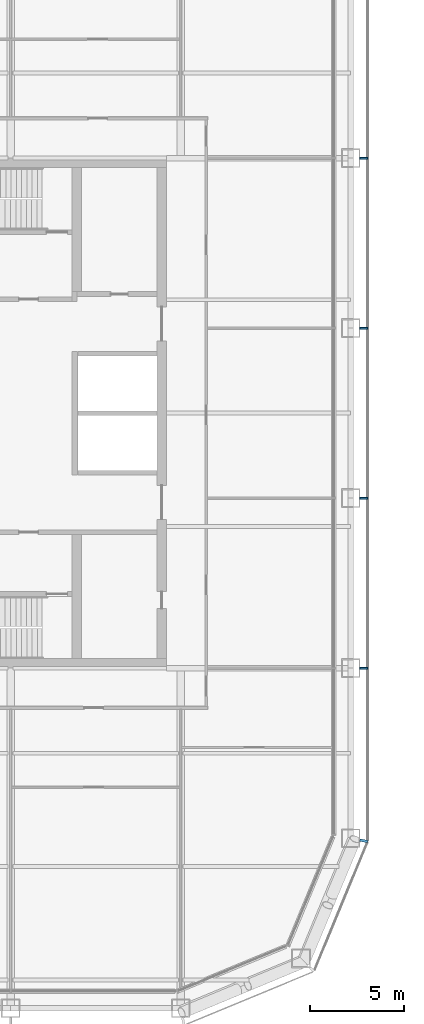
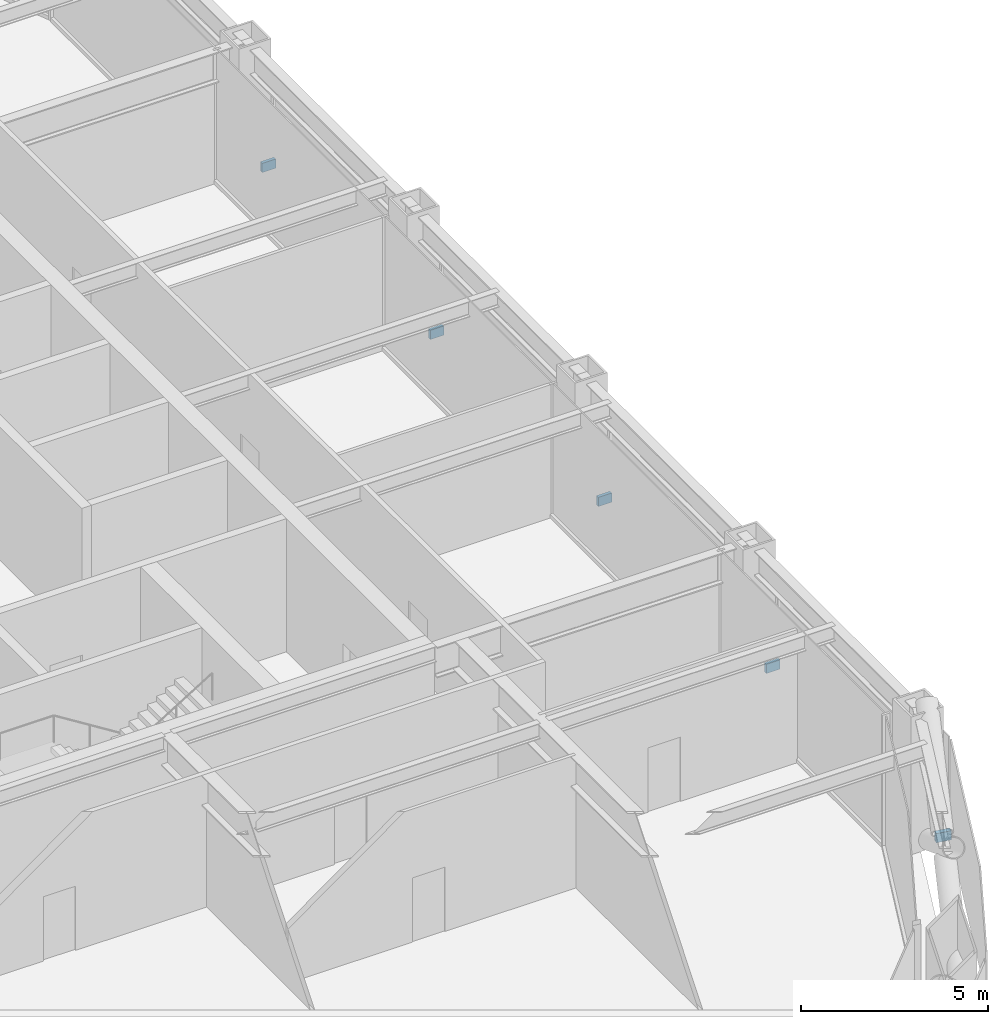
# One storey, part 21 of 30: 5 discrete accessories.
"""IFC4 building model written with IfcOpenShell, lengths in metres."""

from ifc_helpers import new_model, si_unit, direction, frame, origin, origin_2d, place, context, subcontext, project, spatial, rectangle, extrude, material, type_object, element, save


model = new_model("IFC4")

# Units and contexts
model_context = context("Model", 3, precision=1e-05, world=origin(), true_north=direction((0.0, 1.0)))
body_context = subcontext(model_context, "Body", "Model", "MODEL_VIEW")
ifc_project = project(units=[si_unit("LENGTHUNIT", "METRE"), si_unit("AREAUNIT", "SQUARE_METRE"), si_unit("VOLUMEUNIT", "CUBIC_METRE"), si_unit("PLANEANGLEUNIT", "RADIAN"), si_unit("MASSUNIT", "GRAM", prefix="KILO")], contexts=[model_context])

# Site, building, storey
site_placement = place(None, origin())
site = spatial("IfcSite", under=ifc_project, at=site_placement, CompositionType="ELEMENT")
building_placement = place(site_placement, origin())
building = spatial("IfcBuilding", under=site, at=building_placement, Name="Siwar Civic Tower", CompositionType="ELEMENT")
storey_placement = place(building_placement, frame((0.0, 0.0, 62.699951171875)))
storey = spatial("IfcBuildingStorey", under=building, at=storey_placement, Name="L13", CompositionType="ELEMENT", Elevation=62.699951171875)

# Discrete accessories
ifc_material = material(Name="Stainless steel 316", Category="steel")
discrete_accessory_type = type_object("IfcDiscreteAccessoryType", Name="ENV-BRACKET", PredefinedType="BRACKET", material=ifc_material)
for number, where, z_axis, x_axis, name in (
    (1, (32.18994140625, -13.5, -0.14990234375), (0.0, 0.0, 1.0), (1.0, 0.0, 0.0), "Bracket outer skin joint E-01"),
    (2, (32.18994140625, -4.5, -0.14990234375), (0.0, 0.0, 1.0), (1.0, 0.0, 0.0), "Bracket outer skin joint E-02"),
    (3, (32.18994140625, 4.5, -0.14990234375), (0.0, 0.0, 1.0), (1.0, 0.0, 0.0), "Bracket outer skin joint E-03"),
    (4, (32.18994140625, 13.5, -0.14990234375), (0.0, 0.0, 1.0), (1.0, 0.0, 0.0), "Bracket outer skin joint E-04"),
):
    element("IfcDiscreteAccessory", number, at=place(storey_placement, frame(where, z_axis=z_axis, x_axis=x_axis)), inside=storey, type_object=discrete_accessory_type, Name=name, PredefinedType="BRACKET", context=body_context, shape_type="SweptSolid", body=[
        extrude(rectangle(XDim=0.419921875, YDim=0.10009765625, at=origin_2d()), origin(), (0.0, 0.0, 1.0), 0.300048828125),
    ])
discrete_accessory_placement = place(storey_placement, frame((32.190185546875, -22.63720703125, -0.14990234375), z_axis=(0.0, 0.0, 1.0), x_axis=(0.980785280403, -0.195090322016, 0.0)))
element("IfcDiscreteAccessory", 5, at=discrete_accessory_placement, inside=storey, type_object=discrete_accessory_type, Name="Bracket outer skin joint V03", PredefinedType="BRACKET", context=body_context, shape_type="SweptSolid", body=[
    extrude(rectangle(XDim=0.427734375, YDim=0.13720703125, at=origin_2d()), origin(), (0.0, 0.0, 1.0), 0.300048828125),
])

save(model, "model.ifc")
